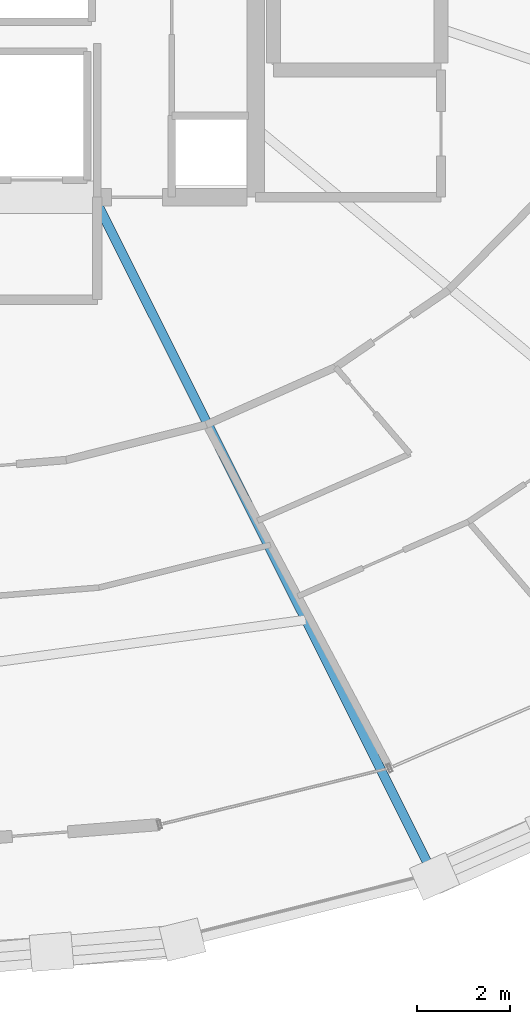
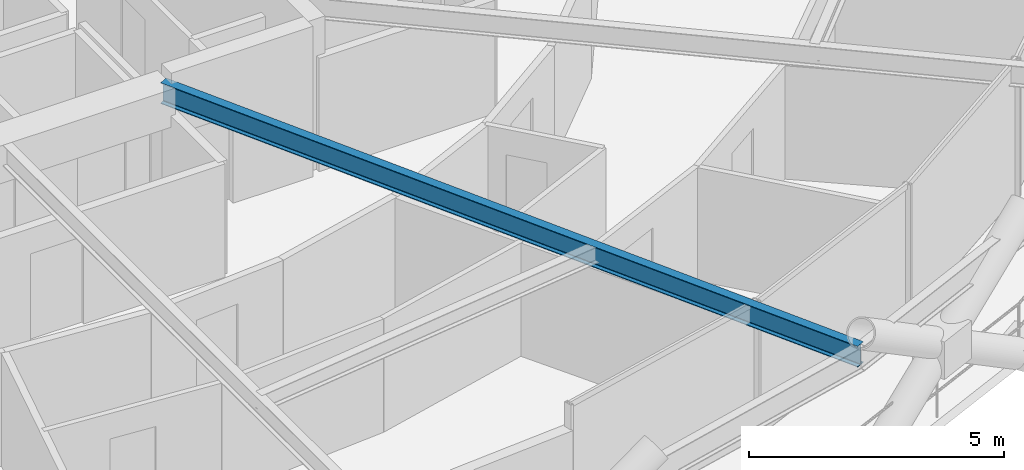
# One storey, part 9 of 21: 1 beam.
"""IFC4 building model written with IfcOpenShell, lengths in metres."""

from ifc_helpers import new_model, si_unit, direction, frame, origin, origin_2d, place, context, subcontext, project, spatial, i_section, extrude, material, material_profile, profile_set, type_object, element, save


model = new_model("IFC4")

# Units and contexts
model_context = context("Model", 3, precision=1e-05, world=origin(), true_north=direction((0.0, 1.0)))
body_context = subcontext(model_context, "Body", "Model", "MODEL_VIEW")
ifc_project = project(units=[si_unit("LENGTHUNIT", "METRE"), si_unit("AREAUNIT", "SQUARE_METRE"), si_unit("VOLUMEUNIT", "CUBIC_METRE"), si_unit("PLANEANGLEUNIT", "RADIAN"), si_unit("MASSUNIT", "GRAM", prefix="KILO")], contexts=[model_context])

# Site, building, storey
site_placement = place(None, origin())
site = spatial("IfcSite", under=ifc_project, at=site_placement, CompositionType="ELEMENT")
building_placement = place(site_placement, origin())
building = spatial("IfcBuilding", under=site, at=building_placement, Name="Veldorina Hangang Commons", CompositionType="ELEMENT")
storey_placement = place(building_placement, frame((0.0, 0.0, 66.39990234375)))
storey = spatial("IfcBuildingStorey", under=building, at=storey_placement, Name="L16", CompositionType="ELEMENT", Elevation=66.39990234375)

# Beam
ifc_material = material(Name="Steel SM420-TMC", Category="steel")
ifc_material_profile = material_profile(ifc_material, i_section(OverallWidth=0.199951171875, OverallDepth=0.5, WebThickness=0.010009765625, FlangeThickness=0.01611328125, FilletRadius=0.01611328125, at=origin_2d()), Name="H-500x200x10x16")
ifc_profile_set = profile_set([ifc_material_profile], Name="Steel SM420-TMC")
beam_type = type_object("IfcBeamType", Name="BM-FG500", PredefinedType="BEAM", material=ifc_profile_set)
beam_placement = place(storey_placement, frame((35.731201171875, 16.550048828125, 3.090087890625), z_axis=(0.44782200255, -0.89412272873, 0.0), x_axis=(0.89412272873, 0.44782200255, 0.0)))
element("IfcBeam", 1, at=beam_placement, inside=storey, type_object=beam_type, Name="L16 radial floor girder 14", PredefinedType="BEAM", context=body_context, shape_type="SweptSolid", body=[
    extrude(i_section(OverallWidth=0.199951171875, OverallDepth=0.5, WebThickness=0.010009765625, FlangeThickness=0.01611328125, FilletRadius=0.01611328125, at=origin_2d()), origin(), (0.0, 0.0, 1.0), 16.369384765625),
])

save(model, "model.ifc")
